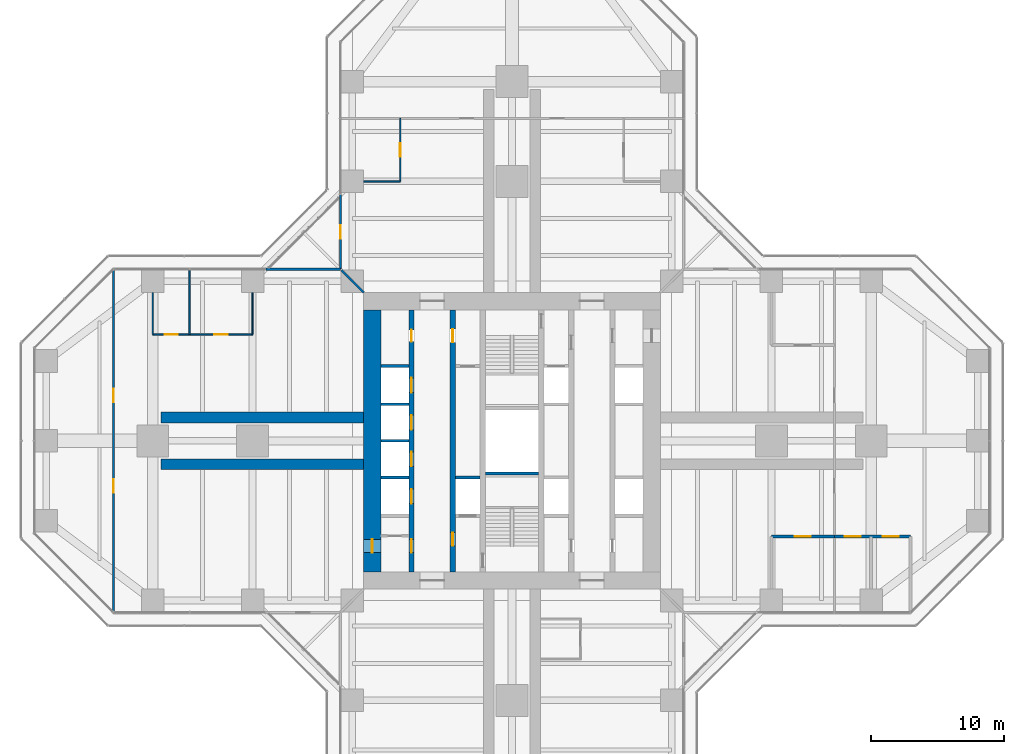
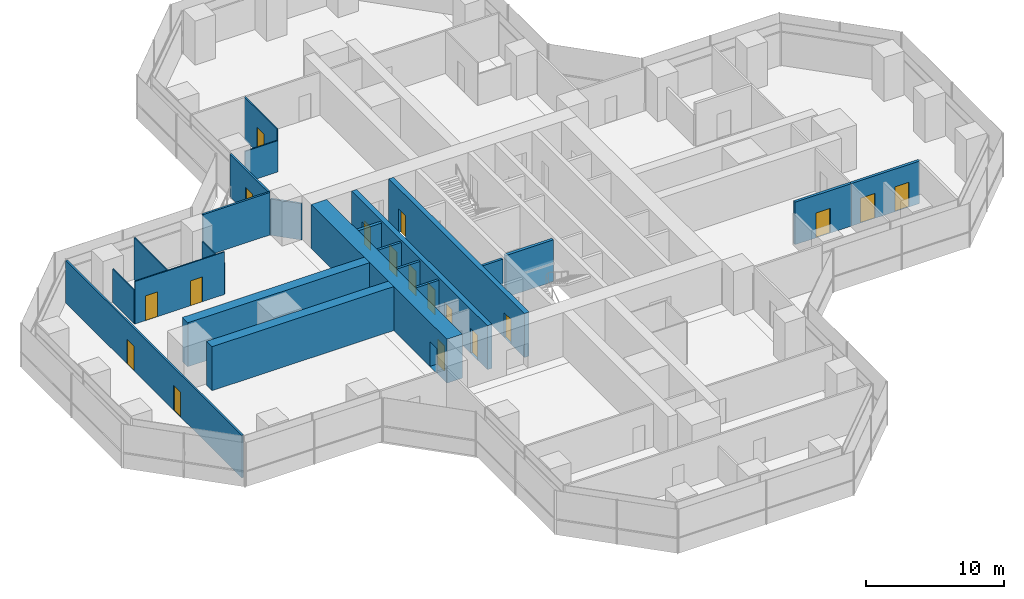
# One storey, part 18 of 22: 23 walls, 18 doors, 18 openings.
"""IFC4 building model written with IfcOpenShell, lengths in metres."""

from ifc_helpers import new_model, si_unit, direction, frame, frame_2d, origin, place, context, subcontext, project, spatial, rectangle, extrude, material, layer, layer_set, type_object, element, fill, save


model = new_model("IFC4")

# Units and contexts
model_context = context("Model", 3, precision=1e-05, world=origin(), true_north=direction((0.0, 1.0)))
body_context = subcontext(model_context, "Body", "Model", "MODEL_VIEW")
ifc_project = project(units=[si_unit("LENGTHUNIT", "METRE"), si_unit("AREAUNIT", "SQUARE_METRE"), si_unit("VOLUMEUNIT", "CUBIC_METRE"), si_unit("PLANEANGLEUNIT", "RADIAN"), si_unit("MASSUNIT", "GRAM", prefix="KILO")], contexts=[model_context])

# Site, building, storey
site_placement = place(None, origin())
site = spatial("IfcSite", under=ifc_project, at=site_placement, CompositionType="ELEMENT")
building_placement = place(site_placement, origin())
building = spatial("IfcBuilding", under=site, at=building_placement, Name="Mizan Broadcast Tower", CompositionType="ELEMENT")
storey_placement = place(building_placement, frame((0.0, 0.0, 78.60009765625)))
storey = spatial("IfcBuildingStorey", under=building, at=storey_placement, Name="L16", CompositionType="ELEMENT", Elevation=78.60009765625)

# Wall, openings, doors
ifc_material_1 = material(Name="Concrete C70/85", Category="concrete")
ifc_layer_1 = layer(ifc_material_1, 0.39990234375)
ifc_layer_set_1 = layer_set([ifc_layer_1], Name="Concrete C70/85")
wall_type_1 = type_object("IfcWallType", Name="CORE INTERNAL WALL 400", PredefinedType="SHEAR", material=ifc_layer_set_1)
wall_1_placement = place(storey_placement, frame((-7.550048828125, -9.85009765625, 0.0), z_axis=(0.0, 0.0, 1.0), x_axis=(0.0, 1.0, 0.0)))
wall_1 = element("IfcWall", 1, at=wall_1_placement, inside=storey, type_object=wall_type_1, Name="Core wall CORE/XW1", PredefinedType="SHEAR", context=body_context, shape_type="SweptSolid", body=[
    extrude(rectangle(XDim=19.7001953125, YDim=0.39990234375, at=frame_2d((9.85009765625, 0.0))), origin(), (0.0, 0.0, 1.0), 3.89990234375),
])
opening_1_placement = place(wall_1_placement, frame((1.449951171875, 0.0, 0.0)))
opening_1 = element("IfcOpeningElement", 2, at=opening_1_placement, cuts=wall_1, Name="Opening D10F", PredefinedType="OPENING", context=body_context, shape_type="SweptSolid", body=[
    extrude(rectangle(XDim=1.0, YDim=2.199951171875, at=frame_2d((0.5, 1.10009765625))), frame((0.0, 0.2099609375, 0.0), z_axis=(0.0, -1.0, 0.0), x_axis=(1.0, 0.0, 0.0)), (0.0, 0.0, 1.0), 0.419921875),
])
opening_2_placement = place(wall_1_placement, frame((17.300048828125, 0.0, 0.0)))
opening_2 = element("IfcOpeningElement", 3, at=opening_2_placement, cuts=wall_1, Name="Opening D09", PredefinedType="OPENING", context=body_context, shape_type="SweptSolid", body=[
    extrude(rectangle(XDim=0.89990234375, YDim=2.10009765625, at=frame_2d((0.449951171875, 1.050048828125))), frame((0.0, 0.2099609375, 0.0), z_axis=(0.0, -1.0, 0.0), x_axis=(1.0, 0.0, 0.0)), (0.0, 0.0, 1.0), 0.419921875),
])
opening_3_placement = place(wall_1_placement, frame((5.125, 0.0, 0.0)))
opening_3 = element("IfcOpeningElement", 4, at=opening_3_placement, cuts=wall_1, Name="Opening LD", PredefinedType="OPENING", context=body_context, shape_type="SweptSolid", body=[
    extrude(rectangle(XDim=1.10009765625, YDim=2.199951171875, at=frame_2d((0.550048828125, 1.10009765625))), frame((0.0, 0.2099609375, 0.0), z_axis=(0.0, -1.0, 0.0), x_axis=(1.0, 0.0, 0.0)), (0.0, 0.0, 1.0), 0.419921875),
])
opening_4_placement = place(wall_1_placement, frame((7.925048828125, 0.0, 0.0)))
opening_4 = element("IfcOpeningElement", 5, at=opening_4_placement, cuts=wall_1, Name="Opening LD", PredefinedType="OPENING", context=body_context, shape_type="SweptSolid", body=[
    extrude(rectangle(XDim=1.10009765625, YDim=2.199951171875, at=frame_2d((0.550048828125, 1.10009765625))), frame((0.0, 0.2099609375, 0.0), z_axis=(0.0, -1.0, 0.0), x_axis=(1.0, 0.0, 0.0)), (0.0, 0.0, 1.0), 0.419921875),
])
opening_5_placement = place(wall_1_placement, frame((10.675048828125, 0.0, 0.0)))
opening_5 = element("IfcOpeningElement", 6, at=opening_5_placement, cuts=wall_1, Name="Opening LD", PredefinedType="OPENING", context=body_context, shape_type="SweptSolid", body=[
    extrude(rectangle(XDim=1.10009765625, YDim=2.199951171875, at=frame_2d((0.550048828125, 1.10009765625))), frame((0.0, 0.2099609375, 0.0), z_axis=(0.0, -1.0, 0.0), x_axis=(1.0, 0.0, 0.0)), (0.0, 0.0, 1.0), 0.419921875),
])
opening_6_placement = place(wall_1_placement, frame((13.47509765625, 0.0, 0.0)))
opening_6 = element("IfcOpeningElement", 7, at=opening_6_placement, cuts=wall_1, Name="Opening LD", PredefinedType="OPENING", context=body_context, shape_type="SweptSolid", body=[
    extrude(rectangle(XDim=1.10009765625, YDim=2.199951171875, at=frame_2d((0.550048828125, 1.10009765625))), frame((0.0, 0.2099609375, 0.0), z_axis=(0.0, -1.0, 0.0), x_axis=(1.0, 0.0, 0.0)), (0.0, 0.0, 1.0), 0.419921875),
])
ifc_material_2 = material(Name="Steel door leaf in steel frame", Category="steel")
door_type_1 = type_object("IfcDoorType", Name="FIRE DOOR 1000 FD90", OperationType="SINGLE_SWING_LEFT", PredefinedType="DOOR", material=ifc_material_2)
door_1_placement = place(opening_1_placement, origin())
door_1 = element("IfcDoor", 8, at=door_1_placement, inside=storey, type_object=door_type_1, Name="West core passage door", OperationType="SINGLE_SWING_LEFT", OverallHeight=2.199951171875, OverallWidth=1.0, PredefinedType="DOOR", context=body_context, shape_type="SweptSolid", body=[
    extrude(rectangle(XDim=1.0, YDim=2.199951171875, at=frame_2d((0.5, 1.10009765625))), frame((0.0, 0.02490234375, 0.0), z_axis=(0.0, -1.0, 0.0), x_axis=(1.0, 0.0, 0.0)), (0.0, 0.0, 1.0), 0.050048828125),
])
fill(opening_1, door_1)
ifc_material_3 = material(Name="Steel door leaf in steel frame", Category="steel")
door_type_2 = type_object("IfcDoorType", Name="LIFT LANDING DOOR 1100", OperationType="SLIDING_TO_LEFT", PredefinedType="DOOR", material=ifc_material_3)
door_2_placement = place(opening_3_placement, origin())
door_2 = element("IfcDoor", 9, at=door_2_placement, inside=storey, type_object=door_type_2, Name="Landing door LA1", OperationType="SLIDING_TO_LEFT", OverallHeight=2.199951171875, OverallWidth=1.10009765625, PredefinedType="DOOR", context=body_context, shape_type="SweptSolid", body=[
    extrude(rectangle(XDim=1.10009765625, YDim=2.199951171875, at=frame_2d((0.550048828125, 1.10009765625))), frame((0.0, 0.02490234375, 0.0), z_axis=(0.0, -1.0, 0.0), x_axis=(1.0, 0.0, 0.0)), (0.0, 0.0, 1.0), 0.050048828125),
])
fill(opening_3, door_2)
door_3_placement = place(opening_4_placement, origin())
door_3 = element("IfcDoor", 10, at=door_3_placement, inside=storey, type_object=door_type_2, Name="Landing door LA2", OperationType="SLIDING_TO_LEFT", OverallHeight=2.199951171875, OverallWidth=1.10009765625, PredefinedType="DOOR", context=body_context, shape_type="SweptSolid", body=[
    extrude(rectangle(XDim=1.10009765625, YDim=2.199951171875, at=frame_2d((0.550048828125, 1.10009765625))), frame((0.0, 0.02490234375, 0.0), z_axis=(0.0, -1.0, 0.0), x_axis=(1.0, 0.0, 0.0)), (0.0, 0.0, 1.0), 0.050048828125),
])
fill(opening_4, door_3)
door_4_placement = place(opening_5_placement, origin())
door_4 = element("IfcDoor", 11, at=door_4_placement, inside=storey, type_object=door_type_2, Name="Landing door LA3", OperationType="SLIDING_TO_LEFT", OverallHeight=2.199951171875, OverallWidth=1.10009765625, PredefinedType="DOOR", context=body_context, shape_type="SweptSolid", body=[
    extrude(rectangle(XDim=1.10009765625, YDim=2.199951171875, at=frame_2d((0.550048828125, 1.10009765625))), frame((0.0, 0.02490234375, 0.0), z_axis=(0.0, -1.0, 0.0), x_axis=(1.0, 0.0, 0.0)), (0.0, 0.0, 1.0), 0.050048828125),
])
fill(opening_5, door_4)
door_5_placement = place(opening_6_placement, origin())
door_5 = element("IfcDoor", 12, at=door_5_placement, inside=storey, type_object=door_type_2, Name="Landing door LA4", OperationType="SLIDING_TO_LEFT", OverallHeight=2.199951171875, OverallWidth=1.10009765625, PredefinedType="DOOR", context=body_context, shape_type="SweptSolid", body=[
    extrude(rectangle(XDim=1.10009765625, YDim=2.199951171875, at=frame_2d((0.550048828125, 1.10009765625))), frame((0.0, 0.02490234375, 0.0), z_axis=(0.0, -1.0, 0.0), x_axis=(1.0, 0.0, 0.0)), (0.0, 0.0, 1.0), 0.050048828125),
])
fill(opening_6, door_5)
ifc_material_4 = material(Name="Timber door leaf in aluminium frame", Category="wood")
door_type_3 = type_object("IfcDoorType", Name="TOILET DOOR 900", OperationType="SINGLE_SWING_LEFT", PredefinedType="DOOR", material=ifc_material_4)
door_6_placement = place(opening_2_placement, origin())
door_6 = element("IfcDoor", 13, at=door_6_placement, inside=storey, type_object=door_type_3, Name="Male WC door", OperationType="SINGLE_SWING_RIGHT", OverallHeight=2.10009765625, OverallWidth=0.89990234375, PredefinedType="DOOR", context=body_context, shape_type="SweptSolid", body=[
    extrude(rectangle(XDim=0.89990234375, YDim=2.10009765625, at=frame_2d((0.449951171875, 1.050048828125))), frame((0.0, 0.02490234375, 0.0), z_axis=(0.0, -1.0, 0.0), x_axis=(1.0, 0.0, 0.0)), (0.0, 0.0, 1.0), 0.050048828125),
])
fill(opening_2, door_6)

wall_2_placement = place(storey_placement, frame((-4.449951171875, -9.85009765625, 0.0), z_axis=(0.0, 0.0, 1.0), x_axis=(0.0, 1.0, 0.0)))
wall_2 = element("IfcWall", 14, at=wall_2_placement, inside=storey, type_object=wall_type_1, Name="Core wall CORE/XWH", PredefinedType="SHEAR", context=body_context, shape_type="SweptSolid", body=[
    extrude(rectangle(XDim=19.7001953125, YDim=0.39990234375, at=frame_2d((9.85009765625, 0.0))), origin(), (0.0, 0.0, 1.0), 3.89990234375),
])
opening_7_placement = place(wall_2_placement, frame((1.949951171875, 0.0, 0.0)))
opening_7 = element("IfcOpeningElement", 15, at=opening_7_placement, cuts=wall_2, Name="Opening D10F", PredefinedType="OPENING", context=body_context, shape_type="SweptSolid", body=[
    extrude(rectangle(XDim=1.0, YDim=2.199951171875, at=frame_2d((0.5, 1.10009765625))), frame((0.0, 0.2099609375, 0.0), z_axis=(0.0, -1.0, 0.0), x_axis=(1.0, 0.0, 0.0)), (0.0, 0.0, 1.0), 0.419921875),
])
opening_8_placement = place(wall_2_placement, frame((17.25, 0.0, 0.0)))
opening_8 = element("IfcOpeningElement", 16, at=opening_8_placement, cuts=wall_2, Name="Opening D10A", PredefinedType="OPENING", context=body_context, shape_type="SweptSolid", body=[
    extrude(rectangle(XDim=1.0, YDim=2.10009765625, at=frame_2d((0.5, 1.050048828125))), frame((0.0, 0.2099609375, 0.0), z_axis=(0.0, -1.0, 0.0), x_axis=(1.0, 0.0, 0.0)), (0.0, 0.0, 1.0), 0.419921875),
])
ifc_material_5 = material(Name="Timber door leaf in aluminium frame", Category="wood")
door_type_4 = type_object("IfcDoorType", Name="ACCESSIBLE WC DOOR 1000", OperationType="SLIDING_TO_LEFT", PredefinedType="DOOR", material=ifc_material_5)
door_7_placement = place(opening_8_placement, origin())
door_7 = element("IfcDoor", 17, at=door_7_placement, inside=storey, type_object=door_type_4, Name="Accessible WC door", OperationType="SLIDING_TO_LEFT", OverallHeight=2.10009765625, OverallWidth=1.0, PredefinedType="DOOR", context=body_context, shape_type="SweptSolid", body=[
    extrude(rectangle(XDim=1.0, YDim=2.10009765625, at=frame_2d((0.5, 1.050048828125))), frame((0.0, 0.02490234375, 0.0), z_axis=(0.0, -1.0, 0.0), x_axis=(1.0, 0.0, 0.0)), (0.0, 0.0, 1.0), 0.050048828125),
])
fill(opening_8, door_7)
door_8_placement = place(opening_7_placement, origin())
door_8 = element("IfcDoor", 18, at=door_8_placement, inside=storey, type_object=door_type_1, Name="Firefighting lobby A door", OperationType="SINGLE_SWING_LEFT", OverallHeight=2.199951171875, OverallWidth=1.0, PredefinedType="DOOR", context=body_context, shape_type="SweptSolid", body=[
    extrude(rectangle(XDim=1.0, YDim=2.199951171875, at=frame_2d((0.5, 1.10009765625))), frame((0.0, 0.02490234375, 0.0), z_axis=(0.0, -1.0, 0.0), x_axis=(1.0, 0.0, 0.0)), (0.0, 0.0, 1.0), 0.050048828125),
])
fill(opening_7, door_8)

# Wall, opening, door
ifc_material_6 = material(Name="Concrete C70/85", Category="concrete")
ifc_layer_2 = layer(ifc_material_6, 1.300048828125)
ifc_layer_set_2 = layer_set([ifc_layer_2], Name="Concrete C70/85")
wall_type_2 = type_object("IfcWallType", Name="CORE WALL 1300", PredefinedType="SHEAR", material=ifc_layer_set_2)
wall_3_placement = place(storey_placement, frame((-10.5, 9.85009765625, 0.0), z_axis=(0.0, 0.0, 1.0), x_axis=(0.0, -1.0, 0.0)))
wall_3 = element("IfcWall", 19, at=wall_3_placement, inside=storey, type_object=wall_type_2, Name="Core wall W L16", PredefinedType="SHEAR", context=body_context, shape_type="SweptSolid", body=[
    extrude(rectangle(XDim=19.7001953125, YDim=1.300048828125, at=frame_2d((9.85009765625, 0.0))), origin(), (0.0, 0.0, 1.0), 3.89990234375),
])
opening_9_placement = place(wall_3_placement, frame((17.25, 0.0, 0.0)))
opening_9 = element("IfcOpeningElement", 20, at=opening_9_placement, cuts=wall_3, Name="Opening D10F", PredefinedType="OPENING", context=body_context, shape_type="SweptSolid", body=[
    extrude(rectangle(XDim=1.0, YDim=2.199951171875, at=frame_2d((0.5, 1.10009765625))), frame((0.0, 0.659912109375, 0.0), z_axis=(0.0, -1.0, 0.0), x_axis=(1.0, 0.0, 0.0)), (0.0, 0.0, 1.0), 1.320068359375),
])
door_9_placement = place(opening_9_placement, origin())
door_9 = element("IfcDoor", 21, at=door_9_placement, inside=storey, type_object=door_type_1, Name="West core passage arm door", OperationType="SINGLE_SWING_RIGHT", OverallHeight=2.199951171875, OverallWidth=1.0, PredefinedType="DOOR", context=body_context, shape_type="SweptSolid", body=[
    extrude(rectangle(XDim=1.0, YDim=2.199951171875, at=frame_2d((0.5, 1.10009765625))), frame((0.0, 0.02490234375, 0.0), z_axis=(0.0, -1.0, 0.0), x_axis=(1.0, 0.0, 0.0)), (0.0, 0.0, 1.0), 0.050048828125),
])
fill(opening_9, door_9)

ifc_material_7 = material(Name="Aluminium framed glazed screen", Category="aluminium")
ifc_layer_3 = layer(ifc_material_7, 0.159912109375)
ifc_layer_set_3 = layer_set([ifc_layer_3], Name="Aluminium framed glazed screen")
wall_type_3 = type_object("IfcWallType", Name="GLAZED SCREEN WALL 160", PredefinedType="SOLIDWALL", material=ifc_layer_set_3)
wall_4_placement = place(storey_placement, frame((-12.89990234375, 18.5, 0.0), z_axis=(0.0, 0.0, 1.0), x_axis=(0.0, -1.0, 0.0)))
wall_4 = element("IfcWall", 22, at=wall_4_placement, inside=storey, type_object=wall_type_3, Name="Winter garden screen L16 N", PredefinedType="SOLIDWALL", context=body_context, shape_type="SweptSolid", body=[
    extrude(rectangle(XDim=5.60009765625, YDim=0.159912109375, at=frame_2d((2.800048828125, 0.0))), origin(), (0.0, 0.0, 1.0), 3.77001953125),
])
opening_10_placement = place(wall_4_placement, frame((2.300048828125, 0.0, 0.0)))
opening_10 = element("IfcOpeningElement", 23, at=opening_10_placement, cuts=wall_4, Name="Opening WGD", PredefinedType="OPENING", context=body_context, shape_type="SweptSolid", body=[
    extrude(rectangle(XDim=1.0, YDim=2.199951171875, at=frame_2d((0.5, 1.10009765625))), frame((0.0, 0.08984375, 0.0), z_axis=(0.0, -1.0, 0.0), x_axis=(1.0, 0.0, 0.0)), (0.0, 0.0, 1.0), 0.179931640625),
])
ifc_material_8 = material(Name="Aluminium framed glazed door", Category="aluminium")
door_type_5 = type_object("IfcDoorType", Name="WINTER GARDEN DOOR 1000 GLAZED", OperationType="SINGLE_SWING_LEFT", PredefinedType="DOOR", material=ifc_material_8)
door_10_placement = place(opening_10_placement, origin())
door_10 = element("IfcDoor", 24, at=door_10_placement, inside=storey, type_object=door_type_5, Name="Winter garden door L16 N", OperationType="SINGLE_SWING_RIGHT", OverallHeight=2.199951171875, OverallWidth=1.0, PredefinedType="DOOR", context=body_context, shape_type="SweptSolid", body=[
    extrude(rectangle(XDim=1.0, YDim=2.199951171875, at=frame_2d((0.5, 1.10009765625))), frame((0.0, 0.02490234375, 0.0), z_axis=(0.0, -1.0, 0.0), x_axis=(1.0, 0.0, 0.0)), (0.0, 0.0, 1.0), 0.050048828125),
])
fill(opening_10, door_10)

# Walls
wall_5_placement = place(storey_placement, frame((-12.89990234375, 12.89990234375, 0.0), z_axis=(0.0, 0.0, 1.0), x_axis=(-1.0, 0.0, 0.0)))
element("IfcWall", 25, at=wall_5_placement, inside=storey, type_object=wall_type_3, Name="Winter garden screen L16 W", PredefinedType="SOLIDWALL", context=body_context, shape_type="SweptSolid", body=[
    extrude(rectangle(XDim=5.60009765625, YDim=0.159912109375, at=frame_2d((2.800048828125, 0.0))), origin(), (0.0, 0.0, 1.0), 3.77001953125),
])
ifc_material_9 = material(Name="Concrete blockwork", Category="masonry")
ifc_layer_4 = layer(ifc_material_9, 0.199951171875)
ifc_layer_set_4 = layer_set([ifc_layer_4], Name="Concrete blockwork")
wall_type_4 = type_object("IfcWallType", Name="LIFT SHAFT WALL 200", PredefinedType="SOLIDWALL", material=ifc_layer_set_4)
wall_6_placement = place(storey_placement, frame((-9.85009765625, -2.75, 0.0), z_axis=(0.0, 0.0, 1.0), x_axis=(1.0, 0.0, 0.0)))
element("IfcWall", 26, at=wall_6_placement, inside=storey, type_object=wall_type_4, Name="Lift shaft wall CORE/SW1-1", PredefinedType="SOLIDWALL", context=body_context, shape_type="SweptSolid", body=[
    extrude(rectangle(XDim=2.10009765625, YDim=0.199951171875, at=frame_2d((1.050048828125, 0.0))), origin(), (0.0, 0.0, 1.0), 3.699951171875),
])
wall_7_placement = place(storey_placement, frame((-4.25, -2.75, 0.0), z_axis=(0.0, 0.0, 1.0), x_axis=(1.0, 0.0, 0.0)))
element("IfcWall", 27, at=wall_7_placement, inside=storey, type_object=wall_type_4, Name="Lift shaft wall CORE/SW2-1", PredefinedType="SOLIDWALL", context=body_context, shape_type="SweptSolid", body=[
    extrude(rectangle(XDim=1.85009765625, YDim=0.199951171875, at=frame_2d((0.925048828125, 0.0))), origin(), (0.0, 0.0, 1.0), 3.699951171875),
])
for number, where, z_axis, x_axis, name in (
    (28, (-9.85009765625, 0.0, 0.0), (0.0, 0.0, 1.0), (1.0, 0.0, 0.0), "Lift shaft wall CORE/SW1-2"),
    (29, (-9.85009765625, 2.75, 0.0), (0.0, 0.0, 1.0), (1.0, 0.0, 0.0), "Lift shaft wall CORE/SW1-3"),
):
    element("IfcWall", number, at=place(storey_placement, frame(where, z_axis=z_axis, x_axis=x_axis)), inside=storey, type_object=wall_type_4, Name=name, PredefinedType="SOLIDWALL", context=body_context, shape_type="SweptSolid", body=[
        extrude(rectangle(XDim=2.10009765625, YDim=0.199951171875, at=frame_2d((1.050048828125, 0.0))), origin(), (0.0, 0.0, 1.0), 3.699951171875),
    ])
ifc_material_10 = material(Name="Concrete blockwork", Category="masonry")
ifc_layer_5 = layer(ifc_material_10, 0.25)
ifc_layer_set_5 = layer_set([ifc_layer_5], Name="Concrete blockwork")
wall_type_5 = type_object("IfcWallType", Name="LOBBY ENCLOSURE WALL 250", PredefinedType="SOLIDWALL", material=ifc_layer_set_5)
wall_8_placement = place(storey_placement, frame((-9.85009765625, 5.625, 0.0), z_axis=(0.0, 0.0, 1.0), x_axis=(1.0, 0.0, 0.0)))
element("IfcWall", 30, at=wall_8_placement, inside=storey, type_object=wall_type_5, Name="Lobby enclosure wall CORE/BW1N", PredefinedType="SOLIDWALL", context=body_context, shape_type="SweptSolid", body=[
    extrude(rectangle(XDim=2.10009765625, YDim=0.25, at=frame_2d((1.050048828125, 0.0))), origin(), (0.0, 0.0, 1.0), 3.699951171875),
])
wall_9_placement = place(storey_placement, frame((-2.0, -2.449951171875, 0.0), z_axis=(0.0, 0.0, 1.0), x_axis=(1.0, 0.0, 0.0)))
element("IfcWall", 31, at=wall_9_placement, inside=storey, type_object=wall_type_5, Name="Lobby enclosure wall CORE/STA", PredefinedType="SOLIDWALL", context=body_context, shape_type="SweptSolid", body=[
    extrude(rectangle(XDim=4.0, YDim=0.25, at=frame_2d((2.0, 0.0))), origin(), (0.0, 0.0, 1.0), 3.699951171875),
])

# Wall, openings, doors
ifc_material_11 = material(Name="Gypsum board on steel studs", Category="steel")
ifc_layer_6 = layer(ifc_material_11, 0.14990234375)
ifc_layer_set_6 = layer_set([ifc_layer_6], Name="Gypsum board on steel studs")
wall_type_6 = type_object("IfcWallType", Name="PARTITION 150", PredefinedType="PARTITIONING", material=ifc_layer_set_6)
wall_10_placement = place(storey_placement, frame((-29.958984375, 12.786376953125, 0.0), z_axis=(0.0, 0.0, 1.0), x_axis=(0.0, -1.0, 0.0)))
wall_10 = element("IfcWall", 32, at=wall_10_placement, inside=storey, type_object=wall_type_6, Name="Partition PT/WX1", PredefinedType="PARTITIONING", context=body_context, shape_type="SweptSolid", body=[
    extrude(rectangle(XDim=25.57275390625, YDim=0.14990234375, at=frame_2d((12.786376953125, 0.0))), origin(), (0.0, 0.0, 1.0), 3.77001953125),
])
opening_11_placement = place(wall_10_placement, frame((15.6865234375, 0.0, 0.0)))
opening_11 = element("IfcOpeningElement", 33, at=opening_11_placement, cuts=wall_10, Name="Opening D10", PredefinedType="OPENING", context=body_context, shape_type="SweptSolid", body=[
    extrude(rectangle(XDim=1.0, YDim=2.199951171875, at=frame_2d((0.5, 1.10009765625))), frame((0.0, 0.0849609375, 0.0), z_axis=(0.0, -1.0, 0.0), x_axis=(1.0, 0.0, 0.0)), (0.0, 0.0, 1.0), 0.169921875),
])
opening_12_placement = place(wall_10_placement, frame((8.886474609375, 0.0, 0.0)))
opening_12 = element("IfcOpeningElement", 34, at=opening_12_placement, cuts=wall_10, Name="Opening D10", PredefinedType="OPENING", context=body_context, shape_type="SweptSolid", body=[
    extrude(rectangle(XDim=1.0, YDim=2.199951171875, at=frame_2d((0.5, 1.10009765625))), frame((0.0, 0.0849609375, 0.0), z_axis=(0.0, -1.0, 0.0), x_axis=(1.0, 0.0, 0.0)), (0.0, 0.0, 1.0), 0.169921875),
])
ifc_material_12 = material(Name="Timber door leaf in aluminium frame", Category="wood")
door_type_6 = type_object("IfcDoorType", Name="ROOM DOOR 1000", OperationType="SINGLE_SWING_LEFT", PredefinedType="DOOR", material=ifc_material_12)
door_11_placement = place(opening_11_placement, origin())
door_11 = element("IfcDoor", 35, at=door_11_placement, inside=storey, type_object=door_type_6, Name="Screening room door", OperationType="SINGLE_SWING_RIGHT", OverallHeight=2.199951171875, OverallWidth=1.0, PredefinedType="DOOR", context=body_context, shape_type="SweptSolid", body=[
    extrude(rectangle(XDim=1.0, YDim=2.199951171875, at=frame_2d((0.5, 1.10009765625))), frame((0.0, 0.02490234375, 0.0), z_axis=(0.0, -1.0, 0.0), x_axis=(1.0, 0.0, 0.0)), (0.0, 0.0, 1.0), 0.050048828125),
])
fill(opening_11, door_11)
door_12_placement = place(opening_12_placement, origin())
door_12 = element("IfcDoor", 36, at=door_12_placement, inside=storey, type_object=door_type_6, Name="Screening room door", OperationType="SINGLE_SWING_LEFT", OverallHeight=2.199951171875, OverallWidth=1.0, PredefinedType="DOOR", context=body_context, shape_type="SweptSolid", body=[
    extrude(rectangle(XDim=1.0, YDim=2.199951171875, at=frame_2d((0.5, 1.10009765625))), frame((0.0, 0.02490234375, 0.0), z_axis=(0.0, -1.0, 0.0), x_axis=(1.0, 0.0, 0.0)), (0.0, 0.0, 1.0), 0.050048828125),
])
fill(opening_12, door_12)

# Wall
wall_11_placement = place(storey_placement, frame((-11.14990234375, 11.14990234375, 0.0), z_axis=(0.0, 0.0, 1.0), x_axis=(-0.707106781187, 0.707106781187, 0.0)))
element("IfcWall", 37, at=wall_11_placement, inside=storey, type_object=wall_type_6, Name="Partition PT/DGWN", PredefinedType="PARTITIONING", context=body_context, shape_type="SweptSolid", body=[
    extrude(rectangle(XDim=2.362060546875, YDim=0.14990234375, at=frame_2d((1.18115234375, 0.0))), origin(), (0.0, 0.0, 1.0), 3.219970703125),
])

# Wall, opening, door
ifc_material_13 = material(Name="Twin steel stud acoustic partition, four layers of gypsum board", Category="steel")
ifc_layer_7 = layer(ifc_material_13, 0.22509765625)
ifc_layer_set_7 = layer_set([ifc_layer_7], Name="Twin steel stud acoustic partition, four layers of gypsum board")
wall_type_7 = type_object("IfcWallType", Name="PARTITION ACOUSTIC 225", PredefinedType="PARTITIONING", material=ifc_layer_set_7)
wall_12_placement = place(storey_placement, frame((19.5, -7.199951171875, 0.0), z_axis=(0.0, 0.0, 1.0), x_axis=(1.0, 0.0, 0.0)))
wall_12 = element("IfcWall", 38, at=wall_12_placement, inside=storey, type_object=wall_type_7, Name="Acoustic partition PT/ECN0", PredefinedType="PARTITIONING", context=body_context, shape_type="SweptSolid", body=[
    extrude(rectangle(XDim=4.72900390625, YDim=0.22509765625, at=frame_2d((2.364501953125, 0.0))), origin(), (0.0, 0.0, 1.0), 3.77001953125),
])
opening_13_placement = place(wall_12_placement, frame((1.764404296875, 0.0, 0.0)))
opening_13 = element("IfcOpeningElement", 39, at=opening_13_placement, cuts=wall_12, Name="Opening D12A", PredefinedType="OPENING", context=body_context, shape_type="SweptSolid", body=[
    extrude(rectangle(XDim=1.199951171875, YDim=2.199951171875, at=frame_2d((0.60009765625, 1.10009765625))), frame((0.0, 0.12255859375, 0.0), z_axis=(0.0, -1.0, 0.0), x_axis=(1.0, 0.0, 0.0)), (0.0, 0.0, 1.0), 0.2451171875),
])
ifc_material_14 = material(Name="Timber door leaf in aluminium frame", Category="wood")
door_type_7 = type_object("IfcDoorType", Name="ACOUSTIC DOOR 1200", OperationType="SINGLE_SWING_LEFT", PredefinedType="DOOR", material=ifc_material_14)
door_13_placement = place(opening_13_placement, origin())
door_13 = element("IfcDoor", 40, at=door_13_placement, inside=storey, type_object=door_type_7, Name="Commissioning editor's office door", OperationType="SINGLE_SWING_LEFT", OverallHeight=2.199951171875, OverallWidth=1.199951171875, PredefinedType="DOOR", context=body_context, shape_type="SweptSolid", body=[
    extrude(rectangle(XDim=1.199951171875, YDim=2.199951171875, at=frame_2d((0.60009765625, 1.10009765625))), frame((0.0, 0.02490234375, 0.0), z_axis=(0.0, -1.0, 0.0), x_axis=(1.0, 0.0, 0.0)), (0.0, 0.0, 1.0), 0.050048828125),
])
fill(opening_13, door_13)

# Wall, openings, doors
wall_13_placement = place(storey_placement, frame((24.22900390625, -7.199951171875, 0.0), z_axis=(0.0, 0.0, 1.0), x_axis=(1.0, 0.0, 0.0)))
wall_13 = element("IfcWall", 41, at=wall_13_placement, inside=storey, type_object=wall_type_7, Name="Acoustic partition PT/ECN1", PredefinedType="PARTITIONING", context=body_context, shape_type="SweptSolid", body=[
    extrude(rectangle(XDim=5.72998046875, YDim=0.22509765625, at=frame_2d((2.864990234375, 0.0))), origin(), (0.0, 0.0, 1.0), 3.77001953125),
])
opening_14_placement = place(wall_13_placement, frame((0.785400390625, 0.0, 0.0)))
opening_14 = element("IfcOpeningElement", 42, at=opening_14_placement, cuts=wall_13, Name="Opening D12A", PredefinedType="OPENING", context=body_context, shape_type="SweptSolid", body=[
    extrude(rectangle(XDim=1.199951171875, YDim=2.199951171875, at=frame_2d((0.60009765625, 1.10009765625))), frame((0.0, 0.12255859375, 0.0), z_axis=(0.0, -1.0, 0.0), x_axis=(1.0, 0.0, 0.0)), (0.0, 0.0, 1.0), 0.2451171875),
])
opening_15_placement = place(wall_13_placement, frame((3.650390625, 0.0, 0.0)))
opening_15 = element("IfcOpeningElement", 43, at=opening_15_placement, cuts=wall_13, Name="Opening D12A", PredefinedType="OPENING", context=body_context, shape_type="SweptSolid", body=[
    extrude(rectangle(XDim=1.199951171875, YDim=2.199951171875, at=frame_2d((0.60009765625, 1.10009765625))), frame((0.0, 0.12255859375, 0.0), z_axis=(0.0, -1.0, 0.0), x_axis=(1.0, 0.0, 0.0)), (0.0, 0.0, 1.0), 0.2451171875),
])
door_14_placement = place(opening_14_placement, origin())
door_14 = element("IfcDoor", 44, at=door_14_placement, inside=storey, type_object=door_type_7, Name="Office door", OperationType="SINGLE_SWING_LEFT", OverallHeight=2.199951171875, OverallWidth=1.199951171875, PredefinedType="DOOR", context=body_context, shape_type="SweptSolid", body=[
    extrude(rectangle(XDim=1.199951171875, YDim=2.199951171875, at=frame_2d((0.60009765625, 1.10009765625))), frame((0.0, 0.02490234375, 0.0), z_axis=(0.0, -1.0, 0.0), x_axis=(1.0, 0.0, 0.0)), (0.0, 0.0, 1.0), 0.050048828125),
])
fill(opening_14, door_14)
door_15_placement = place(opening_15_placement, origin())
door_15 = element("IfcDoor", 45, at=door_15_placement, inside=storey, type_object=door_type_7, Name="Office door", OperationType="SINGLE_SWING_RIGHT", OverallHeight=2.199951171875, OverallWidth=1.199951171875, PredefinedType="DOOR", context=body_context, shape_type="SweptSolid", body=[
    extrude(rectangle(XDim=1.199951171875, YDim=2.199951171875, at=frame_2d((0.60009765625, 1.10009765625))), frame((0.0, 0.02490234375, 0.0), z_axis=(0.0, -1.0, 0.0), x_axis=(1.0, 0.0, 0.0)), (0.0, 0.0, 1.0), 0.050048828125),
])
fill(opening_15, door_15)

# Wall, opening, door
ifc_material_15 = material(Name="Glazed aluminium partition on aluminium track", Category="aluminium")
ifc_layer_8 = layer(ifc_material_15, 0.10009765625)
ifc_layer_set_8 = layer_set([ifc_layer_8], Name="Glazed aluminium partition on aluminium track")
wall_type_8 = type_object("IfcWallType", Name="PARTITION GLAZED OFFICE FRONT 100", PredefinedType="PARTITIONING", material=ifc_layer_set_8)
wall_14_placement = place(storey_placement, frame((-8.39990234375, 19.5, 0.0), z_axis=(0.0, 0.0, 1.0), x_axis=(0.0, 1.0, 0.0)))
wall_14 = element("IfcWall", 46, at=wall_14_placement, inside=storey, type_object=wall_type_8, Name="Glazed office front PT/NCP0", PredefinedType="PARTITIONING", context=body_context, shape_type="SweptSolid", body=[
    extrude(rectangle(XDim=4.72900390625, YDim=0.10009765625, at=frame_2d((2.364501953125, 0.0))), origin(), (0.0, 0.0, 1.0), 3.77001953125),
])
opening_16_placement = place(wall_14_placement, frame((1.864501953125, 0.0, 0.0)))
opening_16 = element("IfcOpeningElement", 47, at=opening_16_placement, cuts=wall_14, Name="Opening D10O", PredefinedType="OPENING", context=body_context, shape_type="SweptSolid", body=[
    extrude(rectangle(XDim=1.0, YDim=2.199951171875, at=frame_2d((0.5, 1.10009765625))), frame((0.0, 0.06005859375, 0.0), z_axis=(0.0, -1.0, 0.0), x_axis=(1.0, 0.0, 0.0)), (0.0, 0.0, 1.0), 0.1201171875),
])
ifc_material_16 = material(Name="Timber door leaf in aluminium frame", Category="wood")
door_type_8 = type_object("IfcDoorType", Name="OFFICE DOOR 1000 GLAZED", OperationType="SINGLE_SWING_LEFT", PredefinedType="DOOR", material=ifc_material_16)
door_16_placement = place(opening_16_placement, origin())
door_16 = element("IfcDoor", 48, at=door_16_placement, inside=storey, type_object=door_type_8, Name="Office door", OperationType="SINGLE_SWING_LEFT", OverallHeight=2.199951171875, OverallWidth=1.0, PredefinedType="DOOR", context=body_context, shape_type="SweptSolid", body=[
    extrude(rectangle(XDim=1.0, YDim=2.199951171875, at=frame_2d((0.5, 1.10009765625))), frame((0.0, 0.02490234375, 0.0), z_axis=(0.0, -1.0, 0.0), x_axis=(1.0, 0.0, 0.0)), (0.0, 0.0, 1.0), 0.050048828125),
])
fill(opening_16, door_16)

# Wall
wall_15_placement = place(storey_placement, frame((-8.39990234375, 19.5, 0.0), z_axis=(0.0, 0.0, 1.0), x_axis=(-1.0, 0.0, 0.0)))
element("IfcWall", 49, at=wall_15_placement, inside=storey, type_object=wall_type_8, Name="Glazed office front PT/NQP1950", PredefinedType="PARTITIONING", context=body_context, shape_type="SweptSolid", body=[
    extrude(rectangle(XDim=2.75, YDim=0.10009765625, at=frame_2d((1.375, 0.0))), origin(), (0.0, 0.0, 1.0), 2.77001953125),
])

# Wall, openings, doors
wall_16_placement = place(storey_placement, frame((-19.5, 8.0, 0.0), z_axis=(0.0, 0.0, 1.0), x_axis=(-1.0, 0.0, 0.0)))
wall_16 = element("IfcWall", 50, at=wall_16_placement, inside=storey, type_object=wall_type_8, Name="Glazed office front PT/WCN0", PredefinedType="PARTITIONING", context=body_context, shape_type="SweptSolid", body=[
    extrude(rectangle(XDim=7.5, YDim=0.10009765625, at=frame_2d((3.75, 0.0))), origin(), (0.0, 0.0, 1.0), 3.77001953125),
])
opening_17_placement = place(wall_16_placement, frame((1.864501953125, 0.0, 0.0)))
opening_17 = element("IfcOpeningElement", 51, at=opening_17_placement, cuts=wall_16, Name="Opening D10O", PredefinedType="OPENING", context=body_context, shape_type="SweptSolid", body=[
    extrude(rectangle(XDim=1.0, YDim=2.199951171875, at=frame_2d((0.5, 1.10009765625))), frame((0.0, 0.06005859375, 0.0), z_axis=(0.0, -1.0, 0.0), x_axis=(1.0, 0.0, 0.0)), (0.0, 0.0, 1.0), 0.1201171875),
])
opening_18_placement = place(wall_16_placement, frame((5.614501953125, 0.0, 0.0)))
opening_18 = element("IfcOpeningElement", 52, at=opening_18_placement, cuts=wall_16, Name="Opening D10O", PredefinedType="OPENING", context=body_context, shape_type="SweptSolid", body=[
    extrude(rectangle(XDim=1.0, YDim=2.199951171875, at=frame_2d((0.5, 1.10009765625))), frame((0.0, 0.06005859375, 0.0), z_axis=(0.0, -1.0, 0.0), x_axis=(1.0, 0.0, 0.0)), (0.0, 0.0, 1.0), 0.1201171875),
])
door_17_placement = place(opening_17_placement, origin())
door_17 = element("IfcDoor", 53, at=door_17_placement, inside=storey, type_object=door_type_8, Name="Office door", OperationType="SINGLE_SWING_LEFT", OverallHeight=2.199951171875, OverallWidth=1.0, PredefinedType="DOOR", context=body_context, shape_type="SweptSolid", body=[
    extrude(rectangle(XDim=1.0, YDim=2.199951171875, at=frame_2d((0.5, 1.10009765625))), frame((0.0, 0.02490234375, 0.0), z_axis=(0.0, -1.0, 0.0), x_axis=(1.0, 0.0, 0.0)), (0.0, 0.0, 1.0), 0.050048828125),
])
fill(opening_17, door_17)
door_18_placement = place(opening_18_placement, origin())
door_18 = element("IfcDoor", 54, at=door_18_placement, inside=storey, type_object=door_type_8, Name="Office door", OperationType="SINGLE_SWING_RIGHT", OverallHeight=2.199951171875, OverallWidth=1.0, PredefinedType="DOOR", context=body_context, shape_type="SweptSolid", body=[
    extrude(rectangle(XDim=1.0, YDim=2.199951171875, at=frame_2d((0.5, 1.10009765625))), frame((0.0, 0.02490234375, 0.0), z_axis=(0.0, -1.0, 0.0), x_axis=(1.0, 0.0, 0.0)), (0.0, 0.0, 1.0), 0.050048828125),
])
fill(opening_18, door_18)

# Walls
wall_17_placement = place(storey_placement, frame((-19.5, 8.0, 0.0), z_axis=(0.0, 0.0, 1.0), x_axis=(0.0, 1.0, 0.0)))
element("IfcWall", 55, at=wall_17_placement, inside=storey, type_object=wall_type_8, Name="Glazed office front PT/WQN1950", PredefinedType="PARTITIONING", context=body_context, shape_type="SweptSolid", body=[
    extrude(rectangle(XDim=3.14990234375, YDim=0.10009765625, at=frame_2d((1.574951171875, 0.0))), origin(), (0.0, 0.0, 1.0), 2.77001953125),
])
wall_18_placement = place(storey_placement, frame((-24.22900390625, 8.0, 0.0), z_axis=(0.0, 0.0, 1.0), x_axis=(0.0, 1.0, 0.0)))
element("IfcWall", 56, at=wall_18_placement, inside=storey, type_object=wall_type_8, Name="Glazed office front PT/WQN2423", PredefinedType="PARTITIONING", context=body_context, shape_type="SweptSolid", body=[
    extrude(rectangle(XDim=4.820068359375, YDim=0.10009765625, at=frame_2d((2.41015625, 0.0))), origin(), (0.0, 0.0, 1.0), 3.77001953125),
])
wall_19_placement = place(storey_placement, frame((-27.0, 8.0, 0.0), z_axis=(0.0, 0.0, 1.0), x_axis=(0.0, 1.0, 0.0)))
element("IfcWall", 57, at=wall_19_placement, inside=storey, type_object=wall_type_8, Name="Glazed office front PT/WQN2700", PredefinedType="PARTITIONING", context=body_context, shape_type="SweptSolid", body=[
    extrude(rectangle(XDim=3.14990234375, YDim=0.10009765625, at=frame_2d((1.574951171875, 0.0))), origin(), (0.0, 0.0, 1.0), 2.969970703125),
])
ifc_material_17 = material(Name="Concrete C70/85", Category="concrete")
ifc_layer_9 = layer(ifc_material_17, 0.800048828125)
ifc_layer_set_9 = layer_set([ifc_layer_9], Name="Concrete C70/85")
wall_type_9 = type_object("IfcWallType", Name="SPINE WALL 800", PredefinedType="SHEAR", material=ifc_layer_set_9)
for number, where, z_axis, x_axis, name in (
    (58, (-11.14990234375, 1.75, 0.0), (0.0, 0.0, 1.0), (-1.0, 0.0, 0.0), "Spine wall WR L16"),
    (59, (-11.14990234375, -1.75, 0.0), (0.0, 0.0, 1.0), (-1.0, 0.0, 0.0), "Spine wall WL L16"),
):
    element("IfcWall", number, at=place(storey_placement, frame(where, z_axis=z_axis, x_axis=x_axis)), inside=storey, type_object=wall_type_9, Name=name, PredefinedType="SHEAR", context=body_context, shape_type="SweptSolid", body=[
        extrude(rectangle(XDim=15.25, YDim=0.800048828125, at=frame_2d((7.625, 0.0))), origin(), (0.0, 0.0, 1.0), 3.89990234375),
    ])

save(model, "model.ifc")
